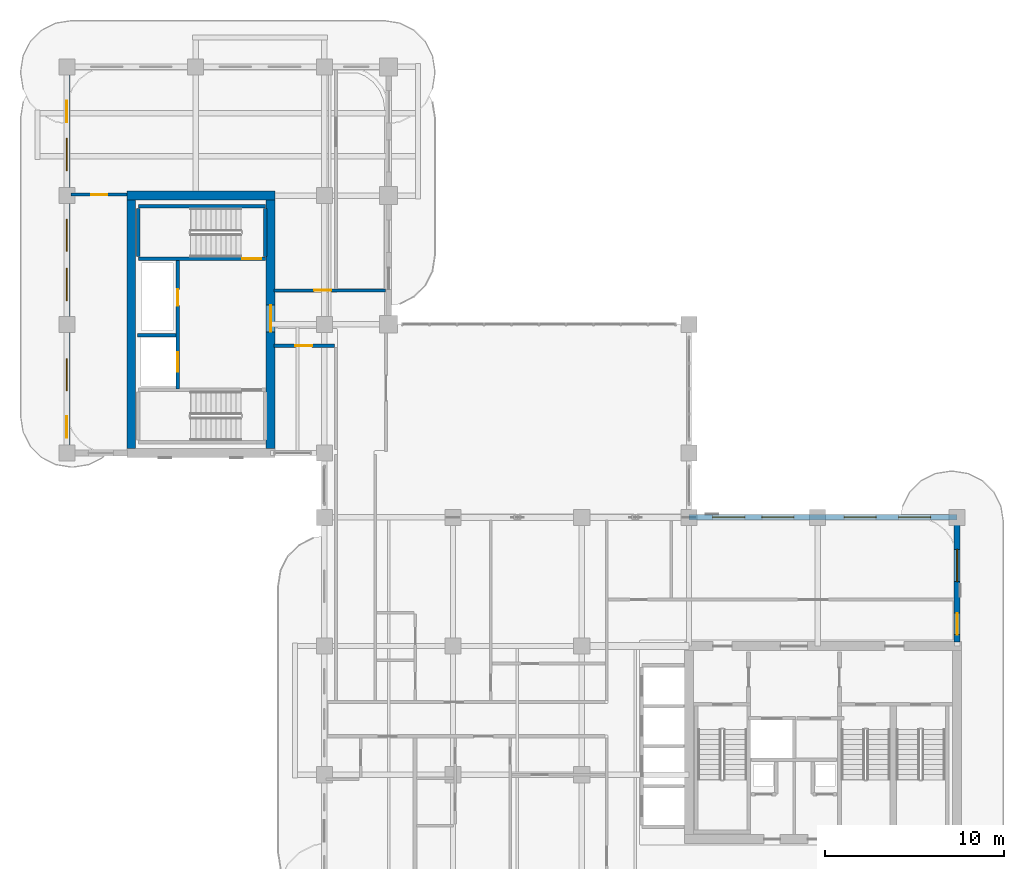
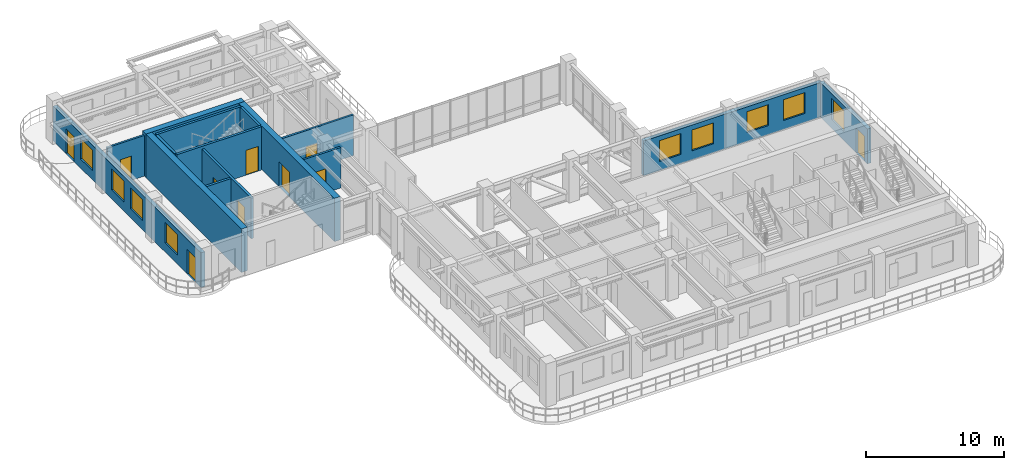
# One storey, part 13 of 19: 15 walls, 10 doors, 9 windows, 19 openings.
"""IFC4 building model written with IfcOpenShell, lengths in metres."""

from ifc_helpers import new_model, si_unit, derived_unit, direction, frame, frame_2d, origin, place, context, subcontext, project, spatial, rectangle, extrude, source, transform, mapped, material, layer, layer_set, type_object, type_shapes, element, fill, save


model = new_model("IFC4")

# Units and contexts
model_context = context("Model", 3, precision=1e-05, world=origin(), true_north=direction((0.0, 1.0)))
body_context = subcontext(model_context, "Body", "Model", "MODEL_VIEW")
ifc_project = project(units=[si_unit("LENGTHUNIT", "METRE"), si_unit("AREAUNIT", "SQUARE_METRE"), si_unit("VOLUMEUNIT", "CUBIC_METRE"), si_unit("PLANEANGLEUNIT", "RADIAN"), si_unit("MASSUNIT", "GRAM", prefix="KILO"), si_unit("THERMODYNAMICTEMPERATUREUNIT", "KELVIN"), si_unit("POWERUNIT", "WATT"), derived_unit("THERMALTRANSMITTANCEUNIT", [(si_unit("POWERUNIT", "WATT"), 1), (si_unit("AREAUNIT", "SQUARE_METRE"), -1), (si_unit("THERMODYNAMICTEMPERATUREUNIT", "KELVIN"), -1)])], contexts=[model_context])

# Site, building, storey
site_placement = place(None, origin())
site = spatial("IfcSite", under=ifc_project, at=site_placement, CompositionType="ELEMENT")
building_placement = place(site_placement, origin())
building = spatial("IfcBuilding", under=site, at=building_placement, Name="Zahravan Archway Hotel and Residences", CompositionType="ELEMENT")
storey_placement = place(building_placement, frame((0.0, 0.0, 201.89990234375)))
storey = spatial("IfcBuildingStorey", under=building, at=storey_placement, Name="L50", CompositionType="ELEMENT", Elevation=201.89990234375)

# Walls
ifc_material_1 = material(Name="Concrete C60/75", Category="concrete")
ifc_layer_1 = layer(ifc_material_1, 0.5, Name="Concrete C60/75", Category="concrete")
ifc_layer_set_1 = layer_set([ifc_layer_1], Name="Concrete C60/75")
wall_type_1 = type_object("IfcWallType", Name="CW-CORE-500", PredefinedType="SHEAR", material=ifc_layer_set_1)
wall_1_placement = place(storey_placement, frame((3.35009765625, 39.60009765625, 0.0), z_axis=(0.0, 0.0, 1.0), x_axis=(1.0, 0.0, 0.0)))
element("IfcWall", 1, at=wall_1_placement, inside=storey, type_object=wall_type_1, Name="L50 Core B Shear N Wall 500 mm", PredefinedType="SHEAR", context=body_context, shape_type="SweptSolid", body=[
    extrude(rectangle(XDim=8.2998046875, YDim=0.5, at=frame_2d((4.14990234375, 0.0))), origin(), (0.0, 0.0, 1.0), 3.85009765625),
])
wall_2_placement = place(storey_placement, frame((3.60009765625, 25.449951171875, 0.0), z_axis=(0.0, 0.0, 1.0), x_axis=(0.0, 1.0, 0.0)))
element("IfcWall", 2, at=wall_2_placement, inside=storey, type_object=wall_type_1, Name="L50 Core B Shear W Wall 500 mm", PredefinedType="SHEAR", context=body_context, shape_type="SweptSolid", body=[
    extrude(rectangle(XDim=13.900146484375, YDim=0.5, at=frame_2d((6.9501953125, 0.0))), origin(), (0.0, 0.0, 1.0), 3.85009765625),
])

# Wall, opening, door
wall_3_placement = place(storey_placement, frame((11.39990234375, 25.449951171875, 0.0), z_axis=(0.0, 0.0, 1.0), x_axis=(0.0, 1.0, 0.0)))
wall_3 = element("IfcWall", 3, at=wall_3_placement, inside=storey, type_object=wall_type_1, Name="L50 Core B Shear E Wall 500 mm", PredefinedType="SHEAR", context=body_context, shape_type="SweptSolid", body=[
    extrude(rectangle(XDim=13.900146484375, YDim=0.5, at=frame_2d((6.9501953125, 0.0))), origin(), (0.0, 0.0, 1.0), 3.85009765625),
])
opening_1_placement = place(wall_3_placement, frame((6.52001953125, 0.0, 0.0)))
opening_1 = element("IfcOpeningElement", 4, at=opening_1_placement, cuts=wall_3, Name="Opening FD-L1", PredefinedType="OPENING", context=body_context, shape_type="SweptSolid", body=[
    extrude(rectangle(XDim=1.5, YDim=2.199951171875, at=frame_2d((0.75, 1.10009765625))), frame((0.0, 0.260009765625, 0.0), z_axis=(0.0, -1.0, 0.0), x_axis=(1.0, 0.0, 0.0)), (0.0, 0.0, 1.0), 0.52001953125),
])
ifc_material_2 = material(Name="Fire-Rated Painted Steel", Category="steel")
door_type_1 = type_object("IfcDoorType", Name="FD-LOBBY-1500", OperationType="DOUBLE_DOOR_SINGLE_SWING", PredefinedType="DOOR", material=ifc_material_2)
shared_shape_1 = source(origin(), body_context, "Body", "SweptSolid", [
    extrude(rectangle(XDim=1.5, YDim=2.199951171875, at=frame_2d((0.75, 1.10009765625))), frame((0.0, 0.02490234375, 0.0), z_axis=(0.0, -1.0, 0.0), x_axis=(1.0, 0.0, 0.0)), (0.0, 0.0, 1.0), 0.050048828125),
])
type_shapes(door_type_1, [shared_shape_1])
door_1_placement = place(opening_1_placement, origin())
door_1 = element("IfcDoor", 5, at=door_1_placement, inside=storey, type_object=door_type_1, Name="L50 Core B FSAE Lobby Door", OperationType="DOUBLE_DOOR_SINGLE_SWING", OverallHeight=2.199951171875, OverallWidth=1.5, PredefinedType="DOOR", context=body_context, shape_type="MappedRepresentation", body=[
    mapped(shared_shape_1, transform((0.0, 0.0, 0.0), scale=1.0)),
])
fill(opening_1, door_1)

# Wall, openings, door, window
ifc_material_3 = material(Name="Agra Buff Sandstone & Insulated Backup", Category="masonry")
ifc_layer_2 = layer(ifc_material_3, 0.320068359375, Name="Agra Buff Sandstone & Insulated Backup", Category="masonry")
ifc_layer_set_2 = layer_set([ifc_layer_2], Name="Agra Buff Sandstone & Insulated Backup")
wall_type_2 = type_object("IfcWallType", Name="EW-SAND-320", PredefinedType="SOLIDWALL", material=ifc_layer_set_2)
wall_4_placement = place(storey_placement, frame((49.800048828125, 14.6201171875, 0.0), z_axis=(0.0, 0.0, 1.0), x_axis=(0.0, 1.0, 0.0)))
wall_4 = element("IfcWall", 6, at=wall_4_placement, inside=storey, type_object=wall_type_2, Name="L50 Exterior Sandstone Wall WA-EN", PredefinedType="SOLIDWALL", context=body_context, shape_type="SweptSolid", body=[
    extrude(rectangle(XDim=6.929931640625, YDim=0.320068359375, at=frame_2d((3.46484375, 0.0))), origin(), (0.0, 0.0, 1.0), 3.085205078125),
])
opening_2_placement = place(wall_4_placement, frame((0.419921875, 0.0, 0.0)))
opening_2 = element("IfcOpeningElement", 7, at=opening_2_placement, cuts=wall_4, Name="Opening ED-BL1", PredefinedType="OPENING", context=body_context, shape_type="SweptSolid", body=[
    extrude(rectangle(XDim=1.199951171875, YDim=2.199951171875, at=frame_2d((0.60009765625, 1.10009765625))), frame((0.0, 0.169921875, 0.0), z_axis=(0.0, -1.0, 0.0), x_axis=(1.0, 0.0, 0.0)), (0.0, 0.0, 1.0), 0.340087890625),
])
opening_3_placement = place(wall_4_placement, frame((3.384033203125, 0.0, 0.800048828125)))
opening_3 = element("IfcOpeningElement", 8, at=opening_3_placement, cuts=wall_4, Name="Opening W-02", PredefinedType="OPENING", context=body_context, shape_type="SweptSolid", body=[
    extrude(rectangle(XDim=1.800048828125, YDim=1.85009765625, at=frame_2d((0.89990234375, 0.925048828125))), frame((0.0, 0.169921875, 0.0), z_axis=(0.0, -1.0, 0.0), x_axis=(1.0, 0.0, 0.0)), (0.0, 0.0, 1.0), 0.340087890625),
])
ifc_material_4 = material(Name="Bronze-Anodized Glazed Aluminium", Category="aluminium")
door_type_2 = type_object("IfcDoorType", Name="ED-BALC-1200", OperationType="SLIDING_TO_LEFT", PredefinedType="DOOR", material=ifc_material_4)
shared_shape_2 = source(origin(), body_context, "Body", "SweptSolid", [
    extrude(rectangle(XDim=1.199951171875, YDim=2.199951171875, at=frame_2d((0.60009765625, 1.10009765625))), frame((0.0, 0.02490234375, 0.0), z_axis=(0.0, -1.0, 0.0), x_axis=(1.0, 0.0, 0.0)), (0.0, 0.0, 1.0), 0.050048828125),
])
type_shapes(door_type_2, [shared_shape_2])
door_2_placement = place(opening_2_placement, origin())
door_2 = element("IfcDoor", 9, at=door_2_placement, inside=storey, type_object=door_type_2, Name="L50 Outdoor Access Sliding Door (SLB-BAL-L50-EA)", OperationType="SLIDING_TO_LEFT", OverallHeight=2.199951171875, OverallWidth=1.199951171875, PredefinedType="DOOR", context=body_context, shape_type="MappedRepresentation", body=[
    mapped(shared_shape_2, transform((0.0, 0.0, 0.0), scale=1.0)),
])
fill(opening_2, door_2)
ifc_material_5 = material(Name="Bronze-Anodized Thermal-Break Aluminium & Low-E Glass", Category="aluminium")
window_type = type_object("IfcWindowType", Name="WIN-TWR-1800", PartitioningType="DOUBLE_PANEL_VERTICAL", PredefinedType="WINDOW", material=ifc_material_5)
shared_shape_3 = source(origin(), body_context, "Body", "SweptSolid", [
    extrude(rectangle(XDim=1.800048828125, YDim=1.85009765625, at=frame_2d((0.89990234375, 0.925048828125))), frame((0.0, 0.030029296875, 0.0), z_axis=(0.0, -1.0, 0.0), x_axis=(1.0, 0.0, 0.0)), (0.0, 0.0, 1.0), 0.06005859375),
])
type_shapes(window_type, [shared_shape_3])
window_1_placement = place(opening_3_placement, origin())
window_1 = element("IfcWindow", 10, at=window_1_placement, inside=storey, type_object=window_type, Name="L50 Loggia Window 10", OverallHeight=1.85009765625, OverallWidth=1.800048828125, PartitioningType="DOUBLE_PANEL_VERTICAL", PredefinedType="WINDOW", context=body_context, shape_type="MappedRepresentation", body=[
    mapped(shared_shape_3, transform((0.0, 0.0, 0.0), scale=1.0)),
])
fill(opening_3, window_1)

# Wall, openings, windows
wall_5_placement = place(storey_placement, frame((34.800048828125, 21.60009765625, 0.0), z_axis=(0.0, 0.0, 1.0), x_axis=(1.0, 0.0, 0.0)))
wall_5 = element("IfcWall", 11, at=wall_5_placement, inside=storey, type_object=wall_type_2, Name="L50 Exterior Sandstone Wall WA-NE", PredefinedType="SOLIDWALL", context=body_context, shape_type="SweptSolid", body=[
    extrude(rectangle(XDim=15.0, YDim=0.320068359375, at=frame_2d((7.5, 0.0))), origin(), (0.0, 0.0, 1.0), 3.085205078125),
])
opening_4_placement = place(wall_5_placement, frame((1.324951171875, 0.0, 0.800048828125)))
opening_4 = element("IfcOpeningElement", 12, at=opening_4_placement, cuts=wall_5, Name="Opening W-02", PredefinedType="OPENING", context=body_context, shape_type="SweptSolid", body=[
    extrude(rectangle(XDim=1.800048828125, YDim=1.85009765625, at=frame_2d((0.89990234375, 0.925048828125))), frame((0.0, 0.169921875, 0.0), z_axis=(0.0, -1.0, 0.0), x_axis=(1.0, 0.0, 0.0)), (0.0, 0.0, 1.0), 0.340087890625),
])
opening_5_placement = place(wall_5_placement, frame((4.074951171875, 0.0, 0.800048828125)))
opening_5 = element("IfcOpeningElement", 13, at=opening_5_placement, cuts=wall_5, Name="Opening W-02", PredefinedType="OPENING", context=body_context, shape_type="SweptSolid", body=[
    extrude(rectangle(XDim=1.800048828125, YDim=1.85009765625, at=frame_2d((0.89990234375, 0.925048828125))), frame((0.0, 0.169921875, 0.0), z_axis=(0.0, -1.0, 0.0), x_axis=(1.0, 0.0, 0.0)), (0.0, 0.0, 1.0), 0.340087890625),
])
opening_6_placement = place(wall_5_placement, frame((8.675048828125, 0.0, 0.800048828125)))
opening_6 = element("IfcOpeningElement", 14, at=opening_6_placement, cuts=wall_5, Name="Opening W-02", PredefinedType="OPENING", context=body_context, shape_type="SweptSolid", body=[
    extrude(rectangle(XDim=1.800048828125, YDim=1.85009765625, at=frame_2d((0.89990234375, 0.925048828125))), frame((0.0, 0.169921875, 0.0), z_axis=(0.0, -1.0, 0.0), x_axis=(1.0, 0.0, 0.0)), (0.0, 0.0, 1.0), 0.340087890625),
])
opening_7_placement = place(wall_5_placement, frame((11.72509765625, 0.0, 0.800048828125)))
opening_7 = element("IfcOpeningElement", 15, at=opening_7_placement, cuts=wall_5, Name="Opening W-02", PredefinedType="OPENING", context=body_context, shape_type="SweptSolid", body=[
    extrude(rectangle(XDim=1.800048828125, YDim=1.85009765625, at=frame_2d((0.89990234375, 0.925048828125))), frame((0.0, 0.169921875, 0.0), z_axis=(0.0, -1.0, 0.0), x_axis=(1.0, 0.0, 0.0)), (0.0, 0.0, 1.0), 0.340087890625),
])
window_2_placement = place(opening_4_placement, origin())
window_2 = element("IfcWindow", 16, at=window_2_placement, inside=storey, type_object=window_type, Name="L50 Loggia Window 11", OverallHeight=1.85009765625, OverallWidth=1.800048828125, PartitioningType="DOUBLE_PANEL_VERTICAL", PredefinedType="WINDOW", context=body_context, shape_type="MappedRepresentation", body=[
    mapped(shared_shape_3, transform((0.0, 0.0, 0.0), scale=1.0)),
])
fill(opening_4, window_2)
window_3_placement = place(opening_5_placement, origin())
window_3 = element("IfcWindow", 17, at=window_3_placement, inside=storey, type_object=window_type, Name="L50 Loggia Window 12", OverallHeight=1.85009765625, OverallWidth=1.800048828125, PartitioningType="DOUBLE_PANEL_VERTICAL", PredefinedType="WINDOW", context=body_context, shape_type="MappedRepresentation", body=[
    mapped(shared_shape_3, transform((0.0, 0.0, 0.0), scale=1.0)),
])
fill(opening_5, window_3)
window_4_placement = place(opening_6_placement, origin())
window_4 = element("IfcWindow", 18, at=window_4_placement, inside=storey, type_object=window_type, Name="L50 Loggia Window 13", OverallHeight=1.85009765625, OverallWidth=1.800048828125, PartitioningType="DOUBLE_PANEL_VERTICAL", PredefinedType="WINDOW", context=body_context, shape_type="MappedRepresentation", body=[
    mapped(shared_shape_3, transform((0.0, 0.0, 0.0), scale=1.0)),
])
fill(opening_6, window_4)
window_5_placement = place(opening_7_placement, origin())
window_5 = element("IfcWindow", 19, at=window_5_placement, inside=storey, type_object=window_type, Name="L50 Loggia Window 14", OverallHeight=1.85009765625, OverallWidth=1.800048828125, PartitioningType="DOUBLE_PANEL_VERTICAL", PredefinedType="WINDOW", context=body_context, shape_type="MappedRepresentation", body=[
    mapped(shared_shape_3, transform((0.0, 0.0, 0.0), scale=1.0)),
])
fill(opening_7, window_5)

# Wall, openings, doors, windows
wall_6_placement = place(storey_placement, frame((0.0, 25.25, 0.0), z_axis=(0.0, 0.0, 1.0), x_axis=(0.0, 1.0, 0.0)))
wall_6 = element("IfcWall", 20, at=wall_6_placement, inside=storey, type_object=wall_type_2, Name="L50 Exterior Sandstone Wall WB-W", PredefinedType="SOLIDWALL", context=body_context, shape_type="SweptSolid", body=[
    extrude(rectangle(XDim=21.5, YDim=0.320068359375, at=frame_2d((10.75, 0.0))), origin(), (0.0, 0.0, 1.0), 3.085205078125),
])
opening_8_placement = place(wall_6_placement, frame((18.449951171875, 0.0, 0.0)))
opening_8 = element("IfcOpeningElement", 21, at=opening_8_placement, cuts=wall_6, Name="Opening ED-BL1", PredefinedType="OPENING", context=body_context, shape_type="SweptSolid", body=[
    extrude(rectangle(XDim=1.199951171875, YDim=2.199951171875, at=frame_2d((0.60009765625, 1.10009765625))), frame((0.0, 0.169921875, 0.0), z_axis=(0.0, -1.0, 0.0), x_axis=(1.0, 0.0, 0.0)), (0.0, 0.0, 1.0), 0.340087890625),
])
opening_9_placement = place(wall_6_placement, frame((0.800048828125, 0.0, 0.0)))
opening_9 = element("IfcOpeningElement", 22, at=opening_9_placement, cuts=wall_6, Name="Opening ED-BL1", PredefinedType="OPENING", context=body_context, shape_type="SweptSolid", body=[
    extrude(rectangle(XDim=1.199951171875, YDim=2.199951171875, at=frame_2d((0.60009765625, 1.10009765625))), frame((0.0, 0.169921875, 0.0), z_axis=(0.0, -1.0, 0.0), x_axis=(1.0, 0.0, 0.0)), (0.0, 0.0, 1.0), 0.340087890625),
])
opening_10_placement = place(wall_6_placement, frame((3.425048828125, 0.0, 0.800048828125)))
opening_10 = element("IfcOpeningElement", 23, at=opening_10_placement, cuts=wall_6, Name="Opening W-02", PredefinedType="OPENING", context=body_context, shape_type="SweptSolid", body=[
    extrude(rectangle(XDim=1.800048828125, YDim=1.85009765625, at=frame_2d((0.89990234375, 0.925048828125))), frame((0.0, 0.169921875, 0.0), z_axis=(0.0, -1.0, 0.0), x_axis=(1.0, 0.0, 0.0)), (0.0, 0.0, 1.0), 0.340087890625),
])
opening_11_placement = place(wall_6_placement, frame((8.47509765625, 0.0, 0.800048828125)))
opening_11 = element("IfcOpeningElement", 24, at=opening_11_placement, cuts=wall_6, Name="Opening W-02", PredefinedType="OPENING", context=body_context, shape_type="SweptSolid", body=[
    extrude(rectangle(XDim=1.800048828125, YDim=1.85009765625, at=frame_2d((0.89990234375, 0.925048828125))), frame((0.0, 0.169921875, 0.0), z_axis=(0.0, -1.0, 0.0), x_axis=(1.0, 0.0, 0.0)), (0.0, 0.0, 1.0), 0.340087890625),
])
opening_12_placement = place(wall_6_placement, frame((11.22509765625, 0.0, 0.800048828125)))
opening_12 = element("IfcOpeningElement", 25, at=opening_12_placement, cuts=wall_6, Name="Opening W-02", PredefinedType="OPENING", context=body_context, shape_type="SweptSolid", body=[
    extrude(rectangle(XDim=1.800048828125, YDim=1.85009765625, at=frame_2d((0.89990234375, 0.925048828125))), frame((0.0, 0.169921875, 0.0), z_axis=(0.0, -1.0, 0.0), x_axis=(1.0, 0.0, 0.0)), (0.0, 0.0, 1.0), 0.340087890625),
])
opening_13_placement = place(wall_6_placement, frame((15.75, 0.0, 0.800048828125)))
opening_13 = element("IfcOpeningElement", 26, at=opening_13_placement, cuts=wall_6, Name="Opening W-02", PredefinedType="OPENING", context=body_context, shape_type="SweptSolid", body=[
    extrude(rectangle(XDim=1.800048828125, YDim=1.85009765625, at=frame_2d((0.89990234375, 0.925048828125))), frame((0.0, 0.169921875, 0.0), z_axis=(0.0, -1.0, 0.0), x_axis=(1.0, 0.0, 0.0)), (0.0, 0.0, 1.0), 0.340087890625),
])
door_3_placement = place(opening_8_placement, origin())
door_3 = element("IfcDoor", 27, at=door_3_placement, inside=storey, type_object=door_type_2, Name="L50 Outdoor Access Sliding Door (SLB-BAL-L50-NB)", OperationType="SLIDING_TO_LEFT", OverallHeight=2.199951171875, OverallWidth=1.199951171875, PredefinedType="DOOR", context=body_context, shape_type="MappedRepresentation", body=[
    mapped(shared_shape_2, transform((0.0, 0.0, 0.0), scale=1.0)),
])
fill(opening_8, door_3)
door_4_placement = place(opening_9_placement, origin())
door_4 = element("IfcDoor", 28, at=door_4_placement, inside=storey, type_object=door_type_2, Name="L50 Outdoor Access Sliding Door (SLB-BAL-L50-WB)", OperationType="SLIDING_TO_LEFT", OverallHeight=2.199951171875, OverallWidth=1.199951171875, PredefinedType="DOOR", context=body_context, shape_type="MappedRepresentation", body=[
    mapped(shared_shape_2, transform((0.0, 0.0, 0.0), scale=1.0)),
])
fill(opening_9, door_4)
window_6_placement = place(opening_10_placement, origin())
window_6 = element("IfcWindow", 29, at=window_6_placement, inside=storey, type_object=window_type, Name="L50 Loggia Window 22", OverallHeight=1.85009765625, OverallWidth=1.800048828125, PartitioningType="DOUBLE_PANEL_VERTICAL", PredefinedType="WINDOW", context=body_context, shape_type="MappedRepresentation", body=[
    mapped(shared_shape_3, transform((0.0, 0.0, 0.0), scale=1.0)),
])
fill(opening_10, window_6)
window_7_placement = place(opening_11_placement, origin())
window_7 = element("IfcWindow", 30, at=window_7_placement, inside=storey, type_object=window_type, Name="L50 Loggia Window 23", OverallHeight=1.85009765625, OverallWidth=1.800048828125, PartitioningType="DOUBLE_PANEL_VERTICAL", PredefinedType="WINDOW", context=body_context, shape_type="MappedRepresentation", body=[
    mapped(shared_shape_3, transform((0.0, 0.0, 0.0), scale=1.0)),
])
fill(opening_11, window_7)
window_8_placement = place(opening_12_placement, origin())
window_8 = element("IfcWindow", 31, at=window_8_placement, inside=storey, type_object=window_type, Name="L50 Loggia Window 24", OverallHeight=1.85009765625, OverallWidth=1.800048828125, PartitioningType="DOUBLE_PANEL_VERTICAL", PredefinedType="WINDOW", context=body_context, shape_type="MappedRepresentation", body=[
    mapped(shared_shape_3, transform((0.0, 0.0, 0.0), scale=1.0)),
])
fill(opening_12, window_8)
window_9_placement = place(opening_13_placement, origin())
window_9 = element("IfcWindow", 32, at=window_9_placement, inside=storey, type_object=window_type, Name="L50 Loggia Window 25", OverallHeight=1.85009765625, OverallWidth=1.800048828125, PartitioningType="DOUBLE_PANEL_VERTICAL", PredefinedType="WINDOW", context=body_context, shape_type="MappedRepresentation", body=[
    mapped(shared_shape_3, transform((0.0, 0.0, 0.0), scale=1.0)),
])
fill(opening_13, window_9)

# Wall, openings, doors
ifc_material_6 = material(Name="Fire-Rated Gypsum & Concrete Block", Category="concrete")
ifc_layer_3 = layer(ifc_material_6, 0.199951171875, Name="Fire-Rated Gypsum & Concrete Block", Category="concrete")
ifc_layer_set_3 = layer_set([ifc_layer_3], Name="Fire-Rated Gypsum & Concrete Block")
wall_type_3 = type_object("IfcWallType", Name="PW-SHAFT-200", PredefinedType="PARTITIONING", material=ifc_layer_set_3)
wall_7_placement = place(storey_placement, frame((6.199951171875, 28.7900390625, 0.0), z_axis=(0.0, 0.0, 1.0), x_axis=(0.0, 1.0, 0.0)))
wall_7 = element("IfcWall", 33, at=wall_7_placement, inside=storey, type_object=wall_type_3, Name="L50 Partition CB-FL3E", PredefinedType="PARTITIONING", context=body_context, shape_type="SweptSolid", body=[
    extrude(rectangle(XDim=7.219970703125, YDim=0.199951171875, at=frame_2d((3.60986328125, 0.0))), origin(), (0.0, 0.0, 1.0), 3.60009765625),
])
opening_14_placement = place(wall_7_placement, frame((4.659912109375, 0.0, 0.0)))
opening_14 = element("IfcOpeningElement", 34, at=opening_14_placement, cuts=wall_7, Name="Opening FD-R1", PredefinedType="OPENING", context=body_context, shape_type="SweptSolid", body=[
    extrude(rectangle(XDim=0.89990234375, YDim=2.10009765625, at=frame_2d((0.449951171875, 1.050048828125))), frame((0.0, 0.10986328125, 0.0), z_axis=(0.0, -1.0, 0.0), x_axis=(1.0, 0.0, 0.0)), (0.0, 0.0, 1.0), 0.219970703125),
])
opening_15_placement = place(wall_7_placement, frame((0.9599609375, 0.0, 0.0)))
opening_15 = element("IfcOpeningElement", 35, at=opening_15_placement, cuts=wall_7, Name="Opening LD", PredefinedType="OPENING", context=body_context, shape_type="SweptSolid", body=[
    extrude(rectangle(XDim=1.10009765625, YDim=2.199951171875, at=frame_2d((0.550048828125, 1.10009765625))), frame((0.0, 0.10986328125, 0.0), z_axis=(0.0, -1.0, 0.0), x_axis=(1.0, 0.0, 0.0)), (0.0, 0.0, 1.0), 0.219970703125),
])
door_type_3 = type_object("IfcDoorType", Name="FD-RISER-900", OperationType="NOTDEFINED", PredefinedType="DOOR", material=ifc_material_2)
shared_shape_4 = source(origin(), body_context, "Body", "SweptSolid", [
    extrude(rectangle(XDim=0.89990234375, YDim=2.10009765625, at=frame_2d((0.449951171875, 1.050048828125))), frame((0.0, 0.02490234375, 0.0), z_axis=(0.0, -1.0, 0.0), x_axis=(1.0, 0.0, 0.0)), (0.0, 0.0, 1.0), 0.050048828125),
])
type_shapes(door_type_3, [shared_shape_4])
door_5_placement = place(opening_14_placement, origin())
door_5 = element("IfcDoor", 36, at=door_5_placement, inside=storey, type_object=door_type_3, Name="L50 Core B Riser Door", OperationType="SINGLE_SWING_LEFT", OverallHeight=2.10009765625, OverallWidth=0.89990234375, PredefinedType="DOOR", context=body_context, shape_type="MappedRepresentation", body=[
    mapped(shared_shape_4, transform((0.0, 0.0, 0.0), scale=1.0)),
])
fill(opening_14, door_5)
ifc_material_7 = material(Name="Brushed Stainless Steel", Category="steel")
door_type_4 = type_object("IfcDoorType", Name="DR-LIFT-LD", OperationType="SLIDING_TO_LEFT", PredefinedType="DOOR", material=ifc_material_7)
shared_shape_5 = source(origin(), body_context, "Body", "SweptSolid", [
    extrude(rectangle(XDim=1.10009765625, YDim=2.199951171875, at=frame_2d((0.550048828125, 1.10009765625))), frame((0.0, 0.02490234375, 0.0), z_axis=(0.0, -1.0, 0.0), x_axis=(1.0, 0.0, 0.0)), (0.0, 0.0, 1.0), 0.050048828125),
])
type_shapes(door_type_4, [shared_shape_5])
door_6_placement = place(opening_15_placement, origin())
door_6 = element("IfcDoor", 37, at=door_6_placement, inside=storey, type_object=door_type_4, Name="L50 Lift FL-3 Sliding Landing Door", OperationType="SLIDING_TO_LEFT", OverallHeight=2.199951171875, OverallWidth=1.10009765625, PredefinedType="DOOR", context=body_context, shape_type="MappedRepresentation", body=[
    mapped(shared_shape_5, transform((0.0, 0.0, 0.0), scale=1.0)),
])
fill(opening_15, door_6)

# Wall
wall_8_placement = place(storey_placement, frame((3.9599609375, 31.780029296875, 0.0), z_axis=(0.0, 0.0, 1.0), x_axis=(1.0, 0.0, 0.0)))
element("IfcWall", 38, at=wall_8_placement, inside=storey, type_object=wall_type_3, Name="L50 Partition CB-FL3N", PredefinedType="PARTITIONING", context=body_context, shape_type="SweptSolid", body=[
    extrude(rectangle(XDim=2.130126953125, YDim=0.199951171875, at=frame_2d((1.06494140625, 0.0))), origin(), (0.0, 0.0, 1.0), 3.60009765625),
])

# Wall, opening, door
ifc_material_8 = material(Name="Acoustic Stud Partition")
ifc_layer_4 = layer(ifc_material_8, 0.169921875, Name="Acoustic Stud Partition")
ifc_layer_set_4 = layer_set([ifc_layer_4], Name="Acoustic Stud Partition")
wall_type_4 = type_object("IfcWallType", Name="PW-UNIT-170", PredefinedType="PARTITIONING", material=ifc_layer_set_4)
wall_9_placement = place(storey_placement, frame((0.239990234375, 39.64990234375, 0.0), z_axis=(0.0, 0.0, 1.0), x_axis=(1.0, 0.0, 0.0)))
wall_9 = element("IfcWall", 39, at=wall_9_placement, inside=storey, type_object=wall_type_4, Name="L50 Partition WBW-N", PredefinedType="PARTITIONING", context=body_context, shape_type="SweptSolid", body=[
    extrude(rectangle(XDim=3.1201171875, YDim=0.169921875, at=frame_2d((1.56005859375, 0.0))), origin(), (0.0, 0.0, 1.0), 3.60009765625),
])
opening_16_placement = place(wall_9_placement, frame((1.110107421875, 0.0, 0.0)))
opening_16 = element("IfcOpeningElement", 40, at=opening_16_placement, cuts=wall_9, Name="Opening D-I2", PredefinedType="OPENING", context=body_context, shape_type="SweptSolid", body=[
    extrude(rectangle(XDim=0.89990234375, YDim=2.14990234375, at=frame_2d((0.449951171875, 1.074951171875))), frame((0.0, 0.094970703125, 0.0), z_axis=(0.0, -1.0, 0.0), x_axis=(1.0, 0.0, 0.0)), (0.0, 0.0, 1.0), 0.18994140625),
])
ifc_material_9 = material(Name="Hardwood Veneer Timber", Category="wood")
door_type_5 = type_object("IfcDoorType", Name="ID-INT-900", OperationType="NOTDEFINED", PredefinedType="DOOR", material=ifc_material_9)
shared_shape_6 = source(origin(), body_context, "Body", "SweptSolid", [
    extrude(rectangle(XDim=0.89990234375, YDim=2.14990234375, at=frame_2d((0.449951171875, 1.074951171875))), frame((0.0, 0.02490234375, 0.0), z_axis=(0.0, -1.0, 0.0), x_axis=(1.0, 0.0, 0.0)), (0.0, 0.0, 1.0), 0.050048828125),
])
type_shapes(door_type_5, [shared_shape_6])
door_7_placement = place(opening_16_placement, origin())
door_7 = element("IfcDoor", 41, at=door_7_placement, inside=storey, type_object=door_type_5, Name="L50 West Loggia Salon Door", OperationType="SINGLE_SWING_RIGHT", OverallHeight=2.14990234375, OverallWidth=0.89990234375, PredefinedType="DOOR", context=body_context, shape_type="MappedRepresentation", body=[
    mapped(shared_shape_6, transform((0.0, 0.0, 0.0), scale=1.0)),
])
fill(opening_16, door_7)

wall_10_placement = place(storey_placement, frame((11.590087890625, 31.199951171875, 0.0), z_axis=(0.0, 0.0, 1.0), x_axis=(1.0, 0.0, 0.0)))
wall_10 = element("IfcWall", 42, at=wall_10_placement, inside=storey, type_object=wall_type_4, Name="L50 Partition FB1-N", PredefinedType="PARTITIONING", context=body_context, shape_type="SweptSolid", body=[
    extrude(rectangle(XDim=3.369873046875, YDim=0.169921875, at=frame_2d((1.68505859375, 0.0))), origin(), (0.0, 0.0, 1.0), 3.60009765625),
])
opening_17_placement = place(wall_10_placement, frame((1.18505859375, 0.0, 0.0)))
opening_17 = element("IfcOpeningElement", 43, at=opening_17_placement, cuts=wall_10, Name="Opening D-I1", PredefinedType="OPENING", context=body_context, shape_type="SweptSolid", body=[
    extrude(rectangle(XDim=0.949951171875, YDim=2.14990234375, at=frame_2d((0.47509765625, 1.074951171875))), frame((0.0, 0.094970703125, 0.0), z_axis=(0.0, -1.0, 0.0), x_axis=(1.0, 0.0, 0.0)), (0.0, 0.0, 1.0), 0.18994140625),
])
door_type_6 = type_object("IfcDoorType", Name="ID-INT-950", OperationType="NOTDEFINED", PredefinedType="DOOR", material=ifc_material_9)
shared_shape_7 = source(origin(), body_context, "Body", "SweptSolid", [
    extrude(rectangle(XDim=0.949951171875, YDim=2.14990234375, at=frame_2d((0.47509765625, 1.074951171875))), frame((0.0, 0.02490234375, 0.0), z_axis=(0.0, -1.0, 0.0), x_axis=(1.0, 0.0, 0.0)), (0.0, 0.0, 1.0), 0.050048828125),
])
type_shapes(door_type_6, [shared_shape_7])
door_8_placement = place(opening_17_placement, origin())
door_8 = element("IfcDoor", 44, at=door_8_placement, inside=storey, type_object=door_type_6, Name="L50 Freed Bank 1 Reading Salon Door", OperationType="SINGLE_SWING_LEFT", OverallHeight=2.14990234375, OverallWidth=0.949951171875, PredefinedType="DOOR", context=body_context, shape_type="MappedRepresentation", body=[
    mapped(shared_shape_7, transform((0.0, 0.0, 0.0), scale=1.0)),
])
fill(opening_17, door_8)

wall_11_placement = place(storey_placement, frame((11.590087890625, 34.300048828125, 0.0), z_axis=(0.0, 0.0, 1.0), x_axis=(1.0, 0.0, 0.0)))
wall_11 = element("IfcWall", 45, at=wall_11_placement, inside=storey, type_object=wall_type_4, Name="L50 Partition FB2-S", PredefinedType="PARTITIONING", context=body_context, shape_type="SweptSolid", body=[
    extrude(rectangle(XDim=6.241943359375, YDim=0.169921875, at=frame_2d((3.12109375, 0.0))), origin(), (0.0, 0.0, 1.0), 3.60009765625),
])
opening_18_placement = place(wall_11_placement, frame((2.244384765625, 0.0, 0.0)))
opening_18 = element("IfcOpeningElement", 46, at=opening_18_placement, cuts=wall_11, Name="Opening D-I1", PredefinedType="OPENING", context=body_context, shape_type="SweptSolid", body=[
    extrude(rectangle(XDim=0.949951171875, YDim=2.14990234375, at=frame_2d((0.47509765625, 1.074951171875))), frame((0.0, 0.094970703125, 0.0), z_axis=(0.0, -1.0, 0.0), x_axis=(1.0, 0.0, 0.0)), (0.0, 0.0, 1.0), 0.18994140625),
])
door_9_placement = place(opening_18_placement, origin())
door_9 = element("IfcDoor", 47, at=door_9_placement, inside=storey, type_object=door_type_6, Name="L50 Freed Bank 2 Summit Archive Door", OperationType="SINGLE_SWING_LEFT", OverallHeight=2.14990234375, OverallWidth=0.949951171875, PredefinedType="DOOR", context=body_context, shape_type="MappedRepresentation", body=[
    mapped(shared_shape_7, transform((0.0, 0.0, 0.0), scale=1.0)),
])
fill(opening_18, door_9)

# Walls
ifc_material_10 = material(Name="Concrete C50/60", Category="concrete")
ifc_layer_5 = layer(ifc_material_10, 0.199951171875, Name="Concrete C50/60", Category="concrete")
ifc_layer_set_5 = layer_set([ifc_layer_5], Name="Concrete C50/60")
wall_type_5 = type_object("IfcWallType", Name="SW-STAIR-200", PredefinedType="SHEAR", material=ifc_layer_set_5)
wall_12_placement = place(storey_placement, frame((4.0, 39.0, 0.0), z_axis=(0.0, 0.0, 1.0), x_axis=(1.0, 0.0, 0.0)))
element("IfcWall", 48, at=wall_12_placement, inside=storey, type_object=wall_type_5, Name="L50 Stairwell RC Wall CB-SB2N", PredefinedType="SHEAR", context=body_context, shape_type="SweptSolid", body=[
    extrude(rectangle(XDim=7.10009765625, YDim=0.199951171875, at=frame_2d((3.550048828125, 0.0))), origin(), (0.0, 0.0, 1.0), 3.85009765625),
])
for number, where, z_axis, x_axis, name in (
    (49, (4.0, 36.179931640625, 0.0), (0.0, 0.0, 1.0), (0.0, 1.0, 0.0), "L50 Stairwell RC Wall CB-SB2W"),
    (50, (11.10009765625, 36.179931640625, 0.0), (0.0, 0.0, 1.0), (0.0, 1.0, 0.0), "L50 Stairwell RC Wall CB-SB2E"),
):
    element("IfcWall", number, at=place(storey_placement, frame(where, z_axis=z_axis, x_axis=x_axis)), inside=storey, type_object=wall_type_5, Name=name, PredefinedType="SHEAR", context=body_context, shape_type="SweptSolid", body=[
        extrude(rectangle(XDim=2.699951171875, YDim=0.199951171875, at=frame_2d((1.35009765625, 0.0))), origin(), (0.0, 0.0, 1.0), 3.85009765625),
    ])

# Wall, opening, door
wall_13_placement = place(storey_placement, frame((4.0, 36.06005859375, 0.0), z_axis=(0.0, 0.0, 1.0), x_axis=(1.0, 0.0, 0.0)))
wall_13 = element("IfcWall", 51, at=wall_13_placement, inside=storey, type_object=wall_type_5, Name="L50 Stairwell RC Wall CB-SB2S", PredefinedType="SHEAR", context=body_context, shape_type="SweptSolid", body=[
    extrude(rectangle(XDim=7.10009765625, YDim=0.199951171875, at=frame_2d((3.550048828125, 0.0))), origin(), (0.0, 0.0, 1.0), 3.85009765625),
])
opening_19_placement = place(wall_13_placement, frame((5.81494140625, 0.0, 0.0)))
opening_19 = element("IfcOpeningElement", 52, at=opening_19_placement, cuts=wall_13, Name="Opening FD-S1", PredefinedType="OPENING", context=body_context, shape_type="SweptSolid", body=[
    extrude(rectangle(XDim=1.050048828125, YDim=2.199951171875, at=frame_2d((0.52490234375, 1.10009765625))), frame((0.0, 0.10986328125, 0.0), z_axis=(0.0, -1.0, 0.0), x_axis=(1.0, 0.0, 0.0)), (0.0, 0.0, 1.0), 0.219970703125),
])
door_type_7 = type_object("IfcDoorType", Name="FD-STAIR-1100", OperationType="NOTDEFINED", PredefinedType="DOOR", material=ifc_material_2)
shared_shape_8 = source(origin(), body_context, "Body", "SweptSolid", [
    extrude(rectangle(XDim=1.050048828125, YDim=2.199951171875, at=frame_2d((0.52490234375, 1.10009765625))), frame((0.0, 0.02490234375, 0.0), z_axis=(0.0, -1.0, 0.0), x_axis=(1.0, 0.0, 0.0)), (0.0, 0.0, 1.0), 0.050048828125),
])
type_shapes(door_type_7, [shared_shape_8])
door_10_placement = place(opening_19_placement, origin())
door_10 = element("IfcDoor", 53, at=door_10_placement, inside=storey, type_object=door_type_7, Name="L50 Stair ST-B2 Door", OperationType="SINGLE_SWING_RIGHT", OverallHeight=2.199951171875, OverallWidth=1.050048828125, PredefinedType="DOOR", context=body_context, shape_type="MappedRepresentation", body=[
    mapped(shared_shape_8, transform((0.0, 0.0, 0.0), scale=1.0)),
])
fill(opening_19, door_10)

save(model, "model.ifc")
